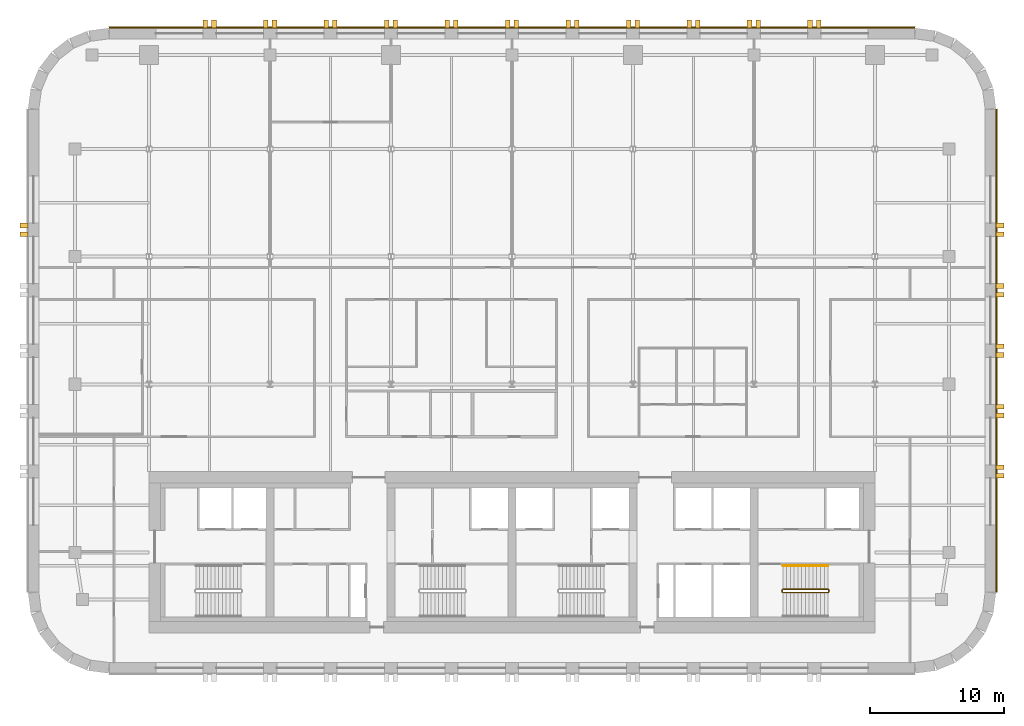
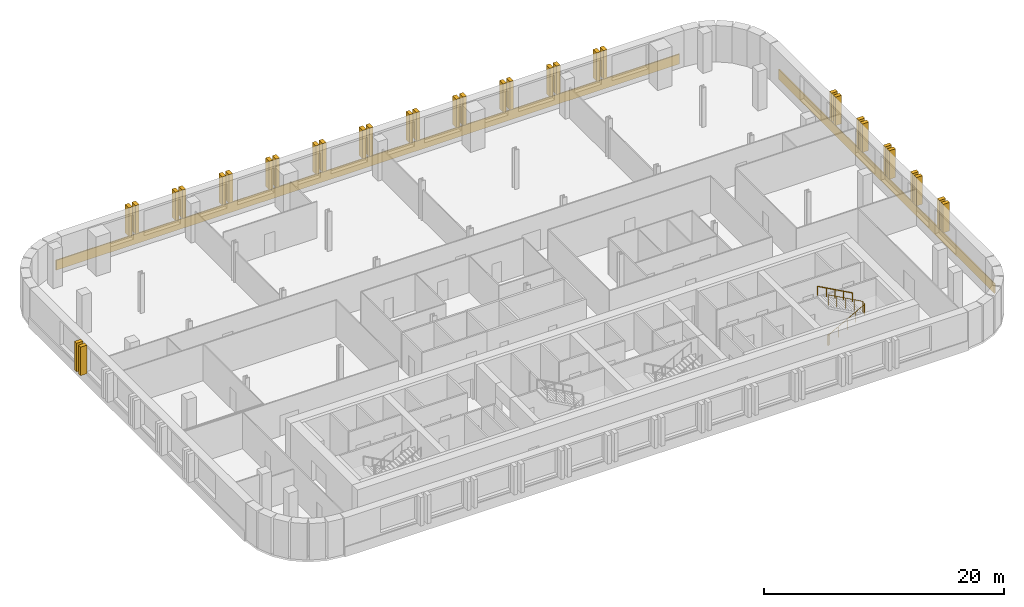
# One storey, part 11 of 11: 36 coverings, 2 railings.
"""IFC4 building model written with IfcOpenShell, lengths in metres."""

import ifcopenshell
import ifcopenshell.guid

model = None  # the IFC model being written
_history = None  # IfcOwnerHistory: only IFC2X3 demands one
_inside = {}  # id of a spatial element -> (the spatial element, [elements in it])
_under = {}  # id of a project, library or spatial element -> (it, [spatial elements below it])
_declared = {}  # id of a project -> (the project, [libraries it declares])
_typed = {}  # id of a type object -> (the type object, [elements of that type])
_made_of = {}  # id of a material, layer set ... -> (it, [elements and type objects made of it])


def new_model(schema):
    """Start an empty IFC model of exactly this schema.

    Asked for "IFC4X3", IfcOpenShell would pick the latest addendum, in which some entities
    have other attributes; the version numbers below select the first issue.
    IFC2X3 requires an IfcOwnerHistory on every rooted entity: one is made here for all.
    """
    global model, _history
    if schema == "IFC4X3":
        model = ifcopenshell.file(schema_version=(4, 3, 0, 0))
    else:
        model = ifcopenshell.file(schema=schema)
    _inside.clear()
    _under.clear()
    _declared.clear()
    _typed.clear()
    _made_of.clear()
    _history = None
    if model.schema == "IFC2X3":
        org = make("IfcOrganization", Name="unknown")
        user = make(
            "IfcPersonAndOrganization",
            ThePerson=make("IfcPerson", FamilyName="unknown"),
            TheOrganization=org,
        )
        app = make(
            "IfcApplication",
            ApplicationDeveloper=org,
            Version="unknown",
            ApplicationFullName="unknown",
            ApplicationIdentifier="unknown",
        )
        _history = make(
            "IfcOwnerHistory",
            OwningUser=user,
            OwningApplication=app,
            ChangeAction="ADDED",
            CreationDate=0,
        )
    return model


def make(cls, **values):
    """One entity of the class cls with the attributes given. An attribute that is None is left unset."""
    return model.create_entity(
        cls, **{name: value for name, value in values.items() if value is not None}
    )


def rooted(cls, **values):
    """An entity with a GlobalId (a new one), such as an element, a storey or a relation."""
    return make(cls, GlobalId=ifcopenshell.guid.new(), OwnerHistory=_history, **values)


def si_unit(unit_type, name, prefix=None):
    """IfcSIUnit, for example si_unit("LENGTHUNIT", "METRE", prefix="MILLI")."""
    return make("IfcSIUnit", UnitType=unit_type, Prefix=prefix, Name=name)


def assignment(units):
    """IfcUnitAssignment: the units of a project."""
    return None if units is None else make("IfcUnitAssignment", Units=units)


def point(xyz):
    """IfcCartesianPoint."""
    return None if xyz is None else make("IfcCartesianPoint", Coordinates=xyz)


def direction(xyz):
    """IfcDirection."""
    return None if xyz is None else make("IfcDirection", DirectionRatios=xyz)


def frame(location, z_axis=None, x_axis=None):
    """IfcAxis2Placement3D, a coordinate frame: its origin and axes. An axis left out is left unset."""
    return make(
        "IfcAxis2Placement3D",
        Location=point(location),
        Axis=direction(z_axis),
        RefDirection=direction(x_axis),
    )


def frame_2d(location, x_axis=None):
    """IfcAxis2Placement2D, a coordinate frame in the plane: its origin and x axis."""
    return make(
        "IfcAxis2Placement2D", Location=point(location), RefDirection=direction(x_axis)
    )


def origin():
    """The frame at (0, 0, 0) with its axes left unset."""
    return frame((0.0, 0.0, 0.0))


def origin_2d():
    """The frame at (0, 0) in the plane with its x axis left unset."""
    return frame_2d((0.0, 0.0))


def place(relative_to, where):
    """IfcLocalPlacement: puts the frame where relative to a parent placement (None: the world)."""
    return make(
        "IfcLocalPlacement", PlacementRelTo=relative_to, RelativePlacement=where
    )


def context(
    kind, dimensions, precision=None, world=None, true_north=None, identifier=None
):
    """IfcGeometricRepresentationContext, for example the 3D "Model" context."""
    return make(
        "IfcGeometricRepresentationContext",
        ContextIdentifier=identifier,
        ContextType=kind,
        CoordinateSpaceDimension=dimensions,
        Precision=precision,
        WorldCoordinateSystem=world,
        TrueNorth=true_north,
    )


def subcontext(parent, identifier, kind, view, scale=None):
    """IfcGeometricRepresentationSubContext, for example "Body" below "Model"."""
    return make(
        "IfcGeometricRepresentationSubContext",
        ContextIdentifier=identifier,
        ContextType=kind,
        ParentContext=parent,
        TargetScale=scale,
        TargetView=view,
    )


def project(units=None, contexts=None):
    """IfcProject with its units and contexts."""
    return rooted(
        "IfcProject",
        Name="project",
        RepresentationContexts=contexts,
        UnitsInContext=assignment(units),
    )


def spatial(cls, under=None, at=None, **own):
    """A site, building, storey or space (cls), placed at a placement, below another one or the project."""
    s = rooted(cls, ObjectPlacement=at, **own)
    if under is not None:
        _under.setdefault(under.id(), (under, []))[1].append(s)
    return s


def polyline(points):
    """IfcPolyline through the points."""
    return make("IfcPolyline", Points=[point(p) for p in points])


def profile(cls, at=None, kind="AREA", **sizes):
    """A parametric profile (cls). Its sizes go by their IFC names, for example OverallWidth=200.0."""
    return make(cls, ProfileType=kind, Position=at, **sizes)


def circle(**sizes):
    """IfcCircleProfileDef."""
    return profile("IfcCircleProfileDef", **sizes)


def outline(outer, holes=None, kind="AREA"):
    """IfcArbitraryClosedProfileDef: a profile drawn as a closed curve; with holes, ...WithVoids."""
    if holes is None:
        return make("IfcArbitraryClosedProfileDef", ProfileType=kind, OuterCurve=outer)
    return make(
        "IfcArbitraryProfileDefWithVoids",
        ProfileType=kind,
        OuterCurve=outer,
        InnerCurves=holes,
    )


def extrude(swept, where, along, depth):
    """IfcExtrudedAreaSolid: the profile swept, set in the frame where, extruded along a direction by depth."""
    return make(
        "IfcExtrudedAreaSolid",
        SweptArea=swept,
        Position=where,
        ExtrudedDirection=direction(along),
        Depth=depth,
    )


def shape(context_of_items, identifier, shape_type, items):
    """IfcShapeRepresentation: the items that make up one representation, for example the "Body"."""
    return make(
        "IfcShapeRepresentation",
        ContextOfItems=context_of_items,
        RepresentationIdentifier=identifier,
        RepresentationType=shape_type,
        Items=items,
    )


def material(Name=None, Category=None):
    """IfcMaterial."""
    return make("IfcMaterial", Name=Name, Category=Category)


def layer(
    of_material, thickness, ventilated=None, Name=None, Category=None, Priority=None
):
    """IfcMaterialLayer: one layer of a wall or slab, of a material (None: an air gap)."""
    return make(
        "IfcMaterialLayer",
        Material=of_material,
        LayerThickness=thickness,
        IsVentilated=ventilated,
        Name=Name,
        Category=Category,
        Priority=Priority,
    )


def layer_set(layers, Name=None):
    """IfcMaterialLayerSet."""
    return make("IfcMaterialLayerSet", MaterialLayers=layers, LayerSetName=Name)


def made_of(thing, what):
    """Note that an element or type object is made of a material, layer set ...; save() writes the relation."""
    if what is not None:
        _made_of.setdefault(what.id(), (what, []))[1].append(thing)
    return thing


def type_object(cls, material=None, **own):
    """A type object (cls), such as IfcWallType, which elements share."""
    return made_of(rooted(cls, **own), material)


def element(
    cls,
    number,
    at=None,
    inside=None,
    cuts=None,
    type_object=None,
    material=None,
    context=None,
    identifier="Body",
    shape_type=None,
    held_by="IfcProductDefinitionShape",
    body=None,
    shapes=None,
    **own,
):
    """One element of the class cls, such as IfcWall. Its Tag is "e" and its number.

    at: its placement. inside: the storey or other place that contains it. cuts: it is an
    opening in that element (IfcRelVoidsElement). A single representation is given by context,
    identifier, shape_type and body (its items); several are given by shapes. held_by: the class
    of the entity that holds the representations. save() writes the other relations.
    """
    e = rooted(cls, Tag="e%d" % number, ObjectPlacement=at, **own)
    if body is not None:
        shapes = [shape(context, identifier, shape_type, body)]
    if shapes is not None:
        e.Representation = make(held_by, Representations=shapes)
    if inside is not None:
        _inside.setdefault(inside.id(), (inside, []))[1].append(e)
    if cuts is not None:
        rooted(
            "IfcRelVoidsElement", RelatingBuildingElement=cuts, RelatedOpeningElement=e
        )
    if type_object is not None:
        _typed.setdefault(type_object.id(), (type_object, []))[1].append(e)
    return made_of(e, material)


def aggregate(whole, parts):
    """IfcRelAggregates: a whole, such as a stair, and the parts it consists of."""
    return rooted("IfcRelAggregates", RelatingObject=whole, RelatedObjects=parts)


def save(model, path):
    """Write the relations noted so far, then the file.

    IfcRelAggregates (storeys below a building ...), IfcRelContainedInSpatialStructure (elements
    in a storey), IfcRelDefinesByType, IfcRelAssociatesMaterial and IfcRelDeclares: one each for
    every whole, place, type object, material and project.
    """
    for whole, parts in _under.values():
        aggregate(whole, parts)
    for where, things in _inside.values():
        rooted(
            "IfcRelContainedInSpatialStructure",
            RelatedElements=things,
            RelatingStructure=where,
        )
    for kind, things in _typed.values():
        rooted("IfcRelDefinesByType", RelatedObjects=things, RelatingType=kind)
    for what, things in _made_of.values():
        rooted("IfcRelAssociatesMaterial", RelatedObjects=things, RelatingMaterial=what)
    for by, libraries in _declared.values():
        rooted("IfcRelDeclares", RelatingContext=by, RelatedDefinitions=libraries)
    model.write(path)


model = new_model("IFC4")

# Units and contexts
model_context = context("Model", 3, precision=1e-05, world=origin(), true_north=direction((0.0, 1.0)))
body_context = subcontext(model_context, "Body", "Model", "MODEL_VIEW")
ifc_project = project(units=[si_unit("LENGTHUNIT", "METRE"), si_unit("AREAUNIT", "SQUARE_METRE"), si_unit("VOLUMEUNIT", "CUBIC_METRE"), si_unit("PLANEANGLEUNIT", "RADIAN"), si_unit("MASSUNIT", "GRAM", prefix="KILO")], contexts=[model_context])

# Site, building, storey
site_placement = place(None, origin())
site = spatial("IfcSite", under=ifc_project, at=site_placement, CompositionType="ELEMENT")
building_placement = place(site_placement, origin())
building = spatial("IfcBuilding", under=site, at=building_placement, Name="Zellij Exchange Tower", CompositionType="ELEMENT")
storey_placement = place(building_placement, frame((0.0, 0.0, 208.5)))
storey = spatial("IfcBuildingStorey", under=building, at=storey_placement, Name="L48", CompositionType="ELEMENT", Elevation=208.5)

# Railings
ifc_material_1 = material(Name="Stainless steel", Category="steel")
railing_type_1 = type_object("IfcRailingType", Name="CORE-RG stair guard", PredefinedType="GUARDRAIL", material=ifc_material_1)
railing_1_placement = place(storey_placement, frame((20.10009765625, -10.949951171875, 0.0)))
element("IfcRailing", 1, at=railing_1_placement, inside=storey, type_object=railing_type_1, Name="ST4 stair guard L48", PredefinedType="GUARDRAIL", context=body_context, shape_type="SweptSolid", body=[
    extrude(circle(Radius=0.02392578125, at=origin_2d()), frame((0.0, 0.0, 1.076171875), z_axis=(0.0, 1.0, 0.0), x_axis=(-1.0, 0.0, 0.0)), (0.0, 0.0, 1.0), 0.14990234375),
    extrude(circle(Radius=0.02392578125, at=origin_2d()), frame((0.0, 0.14990234375, 1.076171875), z_axis=(0.193691321961, -0.777613689637, 0.598164376644), x_axis=(0.970351222016, 0.241699205484, 0.0)), (0.0, 0.0, 1.0), 0.257080078125),
    extrude(circle(Radius=0.02392578125, at=origin_2d()), frame((0.0498046875, -0.050048828125, 1.22998046875), z_axis=(0.876421534553, 0.0, 0.481544695509), x_axis=(0.0, 1.0, 0.0)), (0.0, 0.0, 1.0), 3.833984375),
    extrude(circle(Radius=0.02392578125, at=origin_2d()), frame((3.409912109375, -0.050048828125, 3.076171875), z_axis=(0.707106781187, 0.707106781187, 0.0), x_axis=(-0.707106781187, 0.707106781187, 0.0)), (0.0, 0.0, 1.0), 0.07080078125),
    extrude(circle(Radius=0.02392578125, at=origin_2d()), frame((3.4599609375, 0.0, 3.076171875), z_axis=(0.0, 1.0, 0.0), x_axis=(-1.0, 0.0, 0.0)), (0.0, 0.0, 1.0), 0.14990234375),
    extrude(circle(Radius=0.02392578125, at=origin_2d()), frame((3.4599609375, 0.14990234375, 3.076171875), z_axis=(-0.295599637079, 0.295599637079, 0.908428152975), x_axis=(-0.707106781187, -0.707106781187, 0.0)), (0.0, 0.0, 1.0), 0.16943359375),
    extrude(circle(Radius=0.02392578125, at=origin_2d()), frame((3.409912109375, 0.199951171875, 3.22998046875), z_axis=(-0.876421534553, 0.0, 0.481544695509), x_axis=(0.0, -1.0, 0.0)), (0.0, 0.0, 1.0), 3.833984375),
    extrude(circle(Radius=0.02099609375, at=origin_2d()), origin(), (0.0, 0.0, 1.0), 1.052001953125),
    extrude(circle(Radius=0.02099609375, at=origin_2d()), frame((0.0, 0.14990234375, 0.0)), (0.0, 0.0, 1.0), 1.052001953125),
    extrude(circle(Radius=0.02099609375, at=origin_2d()), frame((0.0498046875, -0.050048828125, 0.15380859375)), (0.0, 0.0, 1.0), 1.052001953125),
    extrude(circle(Radius=0.02099609375, at=origin_2d()), frame((0.889892578125, -0.050048828125, 0.615234375)), (0.0, 0.0, 1.0), 1.052001953125),
    extrude(circle(Radius=0.02099609375, at=origin_2d()), frame((1.72998046875, -0.050048828125, 1.076904296875)), (0.0, 0.0, 1.0), 1.052001953125),
    extrude(circle(Radius=0.02099609375, at=origin_2d()), frame((2.56982421875, -0.050048828125, 1.53857421875)), (0.0, 0.0, 1.0), 1.052001953125),
    extrude(circle(Radius=0.02099609375, at=origin_2d()), frame((3.409912109375, -0.050048828125, 2.0)), (0.0, 0.0, 1.0), 1.052001953125),
    extrude(circle(Radius=0.02099609375, at=origin_2d()), frame((3.4599609375, 0.0, 2.0)), (0.0, 0.0, 1.0), 1.052001953125),
    extrude(circle(Radius=0.02099609375, at=origin_2d()), frame((3.4599609375, 0.14990234375, 2.0)), (0.0, 0.0, 1.0), 1.052001953125),
    extrude(circle(Radius=0.02099609375, at=origin_2d()), frame((3.409912109375, 0.199951171875, 2.15380859375)), (0.0, 0.0, 1.0), 1.052001953125),
    extrude(circle(Radius=0.02099609375, at=origin_2d()), frame((2.56982421875, 0.199951171875, 2.615234375)), (0.0, 0.0, 1.0), 1.052001953125),
    extrude(circle(Radius=0.02099609375, at=origin_2d()), frame((1.72998046875, 0.199951171875, 3.076904296875)), (0.0, 0.0, 1.0), 1.052001953125),
    extrude(circle(Radius=0.02099609375, at=origin_2d()), frame((0.889892578125, 0.199951171875, 3.53857421875)), (0.0, 0.0, 1.0), 1.052001953125),
    extrude(circle(Radius=0.02099609375, at=origin_2d()), frame((0.0498046875, 0.199951171875, 4.0)), (0.0, 0.0, 1.0), 1.052001953125),
])
railing_type_2 = type_object("IfcRailingType", Name="CORE-RH stair handrail", PredefinedType="HANDRAIL", material=ifc_material_1)
railing_2_placement = place(storey_placement, frame((23.510009765625, -9.0, 2.15380859375)))
element("IfcRailing", 2, at=railing_2_placement, inside=storey, type_object=railing_type_2, Name="ST4 stair handrail L48", PredefinedType="HANDRAIL", context=body_context, shape_type="SweptSolid", body=[
    extrude(circle(Radius=0.02392578125, at=origin_2d()), frame((0.0, 0.0, 0.8759765625), z_axis=(-0.876421534553, 0.0, 0.481544695509), x_axis=(0.0, -1.0, 0.0)), (0.0, 0.0, 1.0), 3.833984375),
    extrude(circle(Radius=0.02099609375, at=origin_2d()), origin(), (0.0, 0.0, 1.0), 0.851806640625),
    extrude(circle(Radius=0.02099609375, at=origin_2d()), frame((-0.840087890625, 0.0, 0.46142578125)), (0.0, 0.0, 1.0), 0.851806640625),
    extrude(circle(Radius=0.02099609375, at=origin_2d()), frame((-1.68017578125, 0.0, 0.923095703125)), (0.0, 0.0, 1.0), 0.851806640625),
    extrude(circle(Radius=0.02099609375, at=origin_2d()), frame((-2.52001953125, 0.0, 1.384765625)), (0.0, 0.0, 1.0), 0.851806640625),
    extrude(circle(Radius=0.02099609375, at=origin_2d()), frame((-3.360107421875, 0.0, 1.84619140625)), (0.0, 0.0, 1.0), 0.851806640625),
])

# Coverings
ifc_material_2 = material(Name="Limestone cladding", Category="masonry")
covering_type_1 = type_object("IfcCoveringType", Name="ENV-CV3 Stone pier 350x600", PredefinedType="CLADDING", material=ifc_material_2)
covering_1_placement = place(storey_placement, frame((0.0, 0.0, 0.800048828125)))
element("IfcCovering", 3, at=covering_1_placement, inside=storey, type_object=covering_type_1, Name="Stone pier", PredefinedType="CLADDING", context=body_context, shape_type="SweptSolid", body=[
    extrude(outline(polyline([(36.0, -2.48681640625), (36.0, -2.136962890625), (36.60009765625, -2.136962890625), (36.60009765625, -2.48681640625), (36.0, -2.48681640625)])), origin(), (0.0, 0.0, 1.0), 2.89990234375),
])
covering_2_placement = place(storey_placement, frame((0.0, 0.0, 0.800048828125)))
element("IfcCovering", 4, at=covering_2_placement, inside=storey, type_object=covering_type_1, Name="Stone pier", PredefinedType="CLADDING", context=body_context, shape_type="SweptSolid", body=[
    extrude(outline(polyline([(36.0, -1.8369140625), (36.0, -1.48681640625), (36.60009765625, -1.48681640625), (36.60009765625, -1.8369140625), (36.0, -1.8369140625)])), origin(), (0.0, 0.0, 1.0), 2.89990234375),
])
covering_3_placement = place(storey_placement, frame((0.0, 0.0, 0.800048828125)))
element("IfcCovering", 5, at=covering_3_placement, inside=storey, type_object=covering_type_1, Name="Stone pier", PredefinedType="CLADDING", context=body_context, shape_type="SweptSolid", body=[
    extrude(outline(polyline([(36.0, 2.006591796875), (36.0, 2.3564453125), (36.60009765625, 2.3564453125), (36.60009765625, 2.006591796875), (36.0, 2.006591796875)])), origin(), (0.0, 0.0, 1.0), 2.89990234375),
])
covering_4_placement = place(storey_placement, frame((0.0, 0.0, 0.800048828125)))
element("IfcCovering", 6, at=covering_4_placement, inside=storey, type_object=covering_type_1, Name="Stone pier", PredefinedType="CLADDING", context=body_context, shape_type="SweptSolid", body=[
    extrude(outline(polyline([(36.0, 2.656494140625), (36.0, 3.006591796875), (36.60009765625, 3.006591796875), (36.60009765625, 2.656494140625), (36.0, 2.656494140625)])), origin(), (0.0, 0.0, 1.0), 2.89990234375),
])
covering_5_placement = place(storey_placement, frame((0.0, 0.0, 0.800048828125)))
element("IfcCovering", 7, at=covering_5_placement, inside=storey, type_object=covering_type_1, Name="Stone pier", PredefinedType="CLADDING", context=body_context, shape_type="SweptSolid", body=[
    extrude(outline(polyline([(36.0, 6.5), (36.0, 6.85009765625), (36.60009765625, 6.85009765625), (36.60009765625, 6.5), (36.0, 6.5)])), origin(), (0.0, 0.0, 1.0), 2.89990234375),
])
covering_6_placement = place(storey_placement, frame((0.0, 0.0, 0.800048828125)))
element("IfcCovering", 8, at=covering_6_placement, inside=storey, type_object=covering_type_1, Name="Stone pier", PredefinedType="CLADDING", context=body_context, shape_type="SweptSolid", body=[
    extrude(outline(polyline([(36.0, 7.14990234375), (36.0, 7.5), (36.60009765625, 7.5), (36.60009765625, 7.14990234375), (36.0, 7.14990234375)])), origin(), (0.0, 0.0, 1.0), 2.89990234375),
])
covering_7_placement = place(storey_placement, frame((0.0, 0.0, 0.800048828125)))
element("IfcCovering", 9, at=covering_7_placement, inside=storey, type_object=covering_type_1, Name="Stone pier", PredefinedType="CLADDING", context=body_context, shape_type="SweptSolid", body=[
    extrude(outline(polyline([(36.0, 10.993408203125), (36.0, 11.343505859375), (36.60009765625, 11.343505859375), (36.60009765625, 10.993408203125), (36.0, 10.993408203125)])), origin(), (0.0, 0.0, 1.0), 2.89990234375),
])
covering_8_placement = place(storey_placement, frame((0.0, 0.0, 0.800048828125)))
element("IfcCovering", 10, at=covering_8_placement, inside=storey, type_object=covering_type_1, Name="Stone pier", PredefinedType="CLADDING", context=body_context, shape_type="SweptSolid", body=[
    extrude(outline(polyline([(36.0, 11.643310546875), (36.0, 11.993408203125), (36.60009765625, 11.993408203125), (36.60009765625, 11.643310546875), (36.0, 11.643310546875)])), origin(), (0.0, 0.0, 1.0), 2.89990234375),
])
covering_9_placement = place(storey_placement, frame((0.0, 0.0, 0.800048828125)))
element("IfcCovering", 11, at=covering_9_placement, inside=storey, type_object=covering_type_1, Name="Stone pier", PredefinedType="CLADDING", context=body_context, shape_type="SweptSolid", body=[
    extrude(outline(polyline([(36.0, 15.48681640625), (36.0, 15.8369140625), (36.60009765625, 15.8369140625), (36.60009765625, 15.48681640625), (36.0, 15.48681640625)])), origin(), (0.0, 0.0, 1.0), 2.89990234375),
])
covering_10_placement = place(storey_placement, frame((0.0, 0.0, 0.800048828125)))
element("IfcCovering", 12, at=covering_10_placement, inside=storey, type_object=covering_type_1, Name="Stone pier", PredefinedType="CLADDING", context=body_context, shape_type="SweptSolid", body=[
    extrude(outline(polyline([(36.0, 16.136962890625), (36.0, 16.48681640625), (36.60009765625, 16.48681640625), (36.60009765625, 16.136962890625), (36.0, 16.136962890625)])), origin(), (0.0, 0.0, 1.0), 2.89990234375),
])
covering_11_placement = place(storey_placement, frame((0.0, 0.0, 0.800048828125)))
element("IfcCovering", 13, at=covering_11_placement, inside=storey, type_object=covering_type_1, Name="Stone pier", PredefinedType="CLADDING", context=body_context, shape_type="SweptSolid", body=[
    extrude(outline(polyline([(23.0, 31.0), (22.64990234375, 31.0), (22.64990234375, 31.60009765625), (23.0, 31.60009765625), (23.0, 31.0)])), origin(), (0.0, 0.0, 1.0), 2.89990234375),
])
covering_12_placement = place(storey_placement, frame((0.0, 0.0, 0.800048828125)))
element("IfcCovering", 14, at=covering_12_placement, inside=storey, type_object=covering_type_1, Name="Stone pier", PredefinedType="CLADDING", context=body_context, shape_type="SweptSolid", body=[
    extrude(outline(polyline([(22.35009765625, 31.0), (22.0, 31.0), (22.0, 31.60009765625), (22.35009765625, 31.60009765625), (22.35009765625, 31.0)])), origin(), (0.0, 0.0, 1.0), 2.89990234375),
])
covering_13_placement = place(storey_placement, frame((0.0, 0.0, 0.800048828125)))
element("IfcCovering", 15, at=covering_13_placement, inside=storey, type_object=covering_type_1, Name="Stone pier", PredefinedType="CLADDING", context=body_context, shape_type="SweptSolid", body=[
    extrude(outline(polyline([(18.5, 31.0), (18.14990234375, 31.0), (18.14990234375, 31.60009765625), (18.5, 31.60009765625), (18.5, 31.0)])), origin(), (0.0, 0.0, 1.0), 2.89990234375),
])
covering_14_placement = place(storey_placement, frame((0.0, 0.0, 0.800048828125)))
element("IfcCovering", 16, at=covering_14_placement, inside=storey, type_object=covering_type_1, Name="Stone pier", PredefinedType="CLADDING", context=body_context, shape_type="SweptSolid", body=[
    extrude(outline(polyline([(17.85009765625, 31.0), (17.5, 31.0), (17.5, 31.60009765625), (17.85009765625, 31.60009765625), (17.85009765625, 31.0)])), origin(), (0.0, 0.0, 1.0), 2.89990234375),
])
covering_15_placement = place(storey_placement, frame((0.0, 0.0, 0.800048828125)))
element("IfcCovering", 17, at=covering_15_placement, inside=storey, type_object=covering_type_1, Name="Stone pier", PredefinedType="CLADDING", context=body_context, shape_type="SweptSolid", body=[
    extrude(outline(polyline([(14.0, 31.0), (13.64990234375, 31.0), (13.64990234375, 31.60009765625), (14.0, 31.60009765625), (14.0, 31.0)])), origin(), (0.0, 0.0, 1.0), 2.89990234375),
])
covering_16_placement = place(storey_placement, frame((0.0, 0.0, 0.800048828125)))
element("IfcCovering", 18, at=covering_16_placement, inside=storey, type_object=covering_type_1, Name="Stone pier", PredefinedType="CLADDING", context=body_context, shape_type="SweptSolid", body=[
    extrude(outline(polyline([(13.35009765625, 31.0), (13.0, 31.0), (13.0, 31.60009765625), (13.35009765625, 31.60009765625), (13.35009765625, 31.0)])), origin(), (0.0, 0.0, 1.0), 2.89990234375),
])
covering_17_placement = place(storey_placement, frame((0.0, 0.0, 0.800048828125)))
element("IfcCovering", 19, at=covering_17_placement, inside=storey, type_object=covering_type_1, Name="Stone pier", PredefinedType="CLADDING", context=body_context, shape_type="SweptSolid", body=[
    extrude(outline(polyline([(9.5, 31.0), (9.14990234375, 31.0), (9.14990234375, 31.60009765625), (9.5, 31.60009765625), (9.5, 31.0)])), origin(), (0.0, 0.0, 1.0), 2.89990234375),
])
covering_18_placement = place(storey_placement, frame((0.0, 0.0, 0.800048828125)))
element("IfcCovering", 20, at=covering_18_placement, inside=storey, type_object=covering_type_1, Name="Stone pier", PredefinedType="CLADDING", context=body_context, shape_type="SweptSolid", body=[
    extrude(outline(polyline([(8.85009765625, 31.0), (8.5, 31.0), (8.5, 31.60009765625), (8.85009765625, 31.60009765625), (8.85009765625, 31.0)])), origin(), (0.0, 0.0, 1.0), 2.89990234375),
])
covering_19_placement = place(storey_placement, frame((0.0, 0.0, 0.800048828125)))
element("IfcCovering", 21, at=covering_19_placement, inside=storey, type_object=covering_type_1, Name="Stone pier", PredefinedType="CLADDING", context=body_context, shape_type="SweptSolid", body=[
    extrude(outline(polyline([(5.0, 31.0), (4.64990234375, 31.0), (4.64990234375, 31.60009765625), (5.0, 31.60009765625), (5.0, 31.0)])), origin(), (0.0, 0.0, 1.0), 2.89990234375),
])
covering_20_placement = place(storey_placement, frame((0.0, 0.0, 0.800048828125)))
element("IfcCovering", 22, at=covering_20_placement, inside=storey, type_object=covering_type_1, Name="Stone pier", PredefinedType="CLADDING", context=body_context, shape_type="SweptSolid", body=[
    extrude(outline(polyline([(4.35009765625, 31.0), (4.0, 31.0), (4.0, 31.60009765625), (4.35009765625, 31.60009765625), (4.35009765625, 31.0)])), origin(), (0.0, 0.0, 1.0), 2.89990234375),
])
covering_21_placement = place(storey_placement, frame((0.0, 0.0, 0.800048828125)))
element("IfcCovering", 23, at=covering_21_placement, inside=storey, type_object=covering_type_1, Name="Stone pier", PredefinedType="CLADDING", context=body_context, shape_type="SweptSolid", body=[
    extrude(outline(polyline([(0.5, 31.0), (0.14990234375, 31.0), (0.14990234375, 31.60009765625), (0.5, 31.60009765625), (0.5, 31.0)])), origin(), (0.0, 0.0, 1.0), 2.89990234375),
])
covering_22_placement = place(storey_placement, frame((0.0, 0.0, 0.800048828125)))
element("IfcCovering", 24, at=covering_22_placement, inside=storey, type_object=covering_type_1, Name="Stone pier", PredefinedType="CLADDING", context=body_context, shape_type="SweptSolid", body=[
    extrude(outline(polyline([(-0.14990234375, 31.0), (-0.5, 31.0), (-0.5, 31.60009765625), (-0.14990234375, 31.60009765625), (-0.14990234375, 31.0)])), origin(), (0.0, 0.0, 1.0), 2.89990234375),
])
covering_23_placement = place(storey_placement, frame((0.0, 0.0, 0.800048828125)))
element("IfcCovering", 25, at=covering_23_placement, inside=storey, type_object=covering_type_1, Name="Stone pier", PredefinedType="CLADDING", context=body_context, shape_type="SweptSolid", body=[
    extrude(outline(polyline([(-4.0, 31.0), (-4.35009765625, 31.0), (-4.35009765625, 31.60009765625), (-4.0, 31.60009765625), (-4.0, 31.0)])), origin(), (0.0, 0.0, 1.0), 2.89990234375),
])
covering_24_placement = place(storey_placement, frame((0.0, 0.0, 0.800048828125)))
element("IfcCovering", 26, at=covering_24_placement, inside=storey, type_object=covering_type_1, Name="Stone pier", PredefinedType="CLADDING", context=body_context, shape_type="SweptSolid", body=[
    extrude(outline(polyline([(-4.64990234375, 31.0), (-5.0, 31.0), (-5.0, 31.60009765625), (-4.64990234375, 31.60009765625), (-4.64990234375, 31.0)])), origin(), (0.0, 0.0, 1.0), 2.89990234375),
])
covering_25_placement = place(storey_placement, frame((0.0, 0.0, 0.800048828125)))
element("IfcCovering", 27, at=covering_25_placement, inside=storey, type_object=covering_type_1, Name="Stone pier", PredefinedType="CLADDING", context=body_context, shape_type="SweptSolid", body=[
    extrude(outline(polyline([(-8.5, 31.0), (-8.85009765625, 31.0), (-8.85009765625, 31.60009765625), (-8.5, 31.60009765625), (-8.5, 31.0)])), origin(), (0.0, 0.0, 1.0), 2.89990234375),
])
covering_26_placement = place(storey_placement, frame((0.0, 0.0, 0.800048828125)))
element("IfcCovering", 28, at=covering_26_placement, inside=storey, type_object=covering_type_1, Name="Stone pier", PredefinedType="CLADDING", context=body_context, shape_type="SweptSolid", body=[
    extrude(outline(polyline([(-9.14990234375, 31.0), (-9.5, 31.0), (-9.5, 31.60009765625), (-9.14990234375, 31.60009765625), (-9.14990234375, 31.0)])), origin(), (0.0, 0.0, 1.0), 2.89990234375),
])
covering_27_placement = place(storey_placement, frame((0.0, 0.0, 0.800048828125)))
element("IfcCovering", 29, at=covering_27_placement, inside=storey, type_object=covering_type_1, Name="Stone pier", PredefinedType="CLADDING", context=body_context, shape_type="SweptSolid", body=[
    extrude(outline(polyline([(-13.0, 31.0), (-13.35009765625, 31.0), (-13.35009765625, 31.60009765625), (-13.0, 31.60009765625), (-13.0, 31.0)])), origin(), (0.0, 0.0, 1.0), 2.89990234375),
])
covering_28_placement = place(storey_placement, frame((0.0, 0.0, 0.800048828125)))
element("IfcCovering", 30, at=covering_28_placement, inside=storey, type_object=covering_type_1, Name="Stone pier", PredefinedType="CLADDING", context=body_context, shape_type="SweptSolid", body=[
    extrude(outline(polyline([(-13.64990234375, 31.0), (-14.0, 31.0), (-14.0, 31.60009765625), (-13.64990234375, 31.60009765625), (-13.64990234375, 31.0)])), origin(), (0.0, 0.0, 1.0), 2.89990234375),
])
covering_29_placement = place(storey_placement, frame((0.0, 0.0, 0.800048828125)))
element("IfcCovering", 31, at=covering_29_placement, inside=storey, type_object=covering_type_1, Name="Stone pier", PredefinedType="CLADDING", context=body_context, shape_type="SweptSolid", body=[
    extrude(outline(polyline([(-17.5, 31.0), (-17.85009765625, 31.0), (-17.85009765625, 31.60009765625), (-17.5, 31.60009765625), (-17.5, 31.0)])), origin(), (0.0, 0.0, 1.0), 2.89990234375),
])
covering_30_placement = place(storey_placement, frame((0.0, 0.0, 0.800048828125)))
element("IfcCovering", 32, at=covering_30_placement, inside=storey, type_object=covering_type_1, Name="Stone pier", PredefinedType="CLADDING", context=body_context, shape_type="SweptSolid", body=[
    extrude(outline(polyline([(-18.14990234375, 31.0), (-18.5, 31.0), (-18.5, 31.60009765625), (-18.14990234375, 31.60009765625), (-18.14990234375, 31.0)])), origin(), (0.0, 0.0, 1.0), 2.89990234375),
])
covering_31_placement = place(storey_placement, frame((0.0, 0.0, 0.800048828125)))
element("IfcCovering", 33, at=covering_31_placement, inside=storey, type_object=covering_type_1, Name="Stone pier", PredefinedType="CLADDING", context=body_context, shape_type="SweptSolid", body=[
    extrude(outline(polyline([(-22.0, 31.0), (-22.35009765625, 31.0), (-22.35009765625, 31.60009765625), (-22.0, 31.60009765625), (-22.0, 31.0)])), origin(), (0.0, 0.0, 1.0), 2.89990234375),
])
covering_32_placement = place(storey_placement, frame((0.0, 0.0, 0.800048828125)))
element("IfcCovering", 34, at=covering_32_placement, inside=storey, type_object=covering_type_1, Name="Stone pier", PredefinedType="CLADDING", context=body_context, shape_type="SweptSolid", body=[
    extrude(outline(polyline([(-22.64990234375, 31.0), (-23.0, 31.0), (-23.0, 31.60009765625), (-22.64990234375, 31.60009765625), (-22.64990234375, 31.0)])), origin(), (0.0, 0.0, 1.0), 2.89990234375),
])
covering_33_placement = place(storey_placement, frame((0.0, 0.0, 0.800048828125)))
element("IfcCovering", 35, at=covering_33_placement, inside=storey, type_object=covering_type_1, Name="Stone pier", PredefinedType="CLADDING", context=body_context, shape_type="SweptSolid", body=[
    extrude(outline(polyline([(-36.0, 16.48681640625), (-36.0, 16.136962890625), (-36.60009765625, 16.136962890625), (-36.60009765625, 16.48681640625), (-36.0, 16.48681640625)])), origin(), (0.0, 0.0, 1.0), 2.89990234375),
])
covering_34_placement = place(storey_placement, frame((0.0, 0.0, 0.800048828125)))
element("IfcCovering", 36, at=covering_34_placement, inside=storey, type_object=covering_type_1, Name="Stone pier", PredefinedType="CLADDING", context=body_context, shape_type="SweptSolid", body=[
    extrude(outline(polyline([(-36.0, 15.8369140625), (-36.0, 15.48681640625), (-36.60009765625, 15.48681640625), (-36.60009765625, 15.8369140625), (-36.0, 15.8369140625)])), origin(), (0.0, 0.0, 1.0), 2.89990234375),
])
ifc_layer = layer(ifc_material_2, 0.10009765625)
ifc_layer_set = layer_set([ifc_layer], Name="Limestone cladding")
covering_type_2 = type_object("IfcCoveringType", Name="ENV-CV9 Stone spandrel band 100", PredefinedType="CLADDING", material=ifc_layer_set)
covering_35_placement = place(storey_placement, frame((0.0, 0.0, -0.199951171875)))
element("IfcCovering", 37, at=covering_35_placement, inside=storey, type_object=covering_type_2, Name="Stone spandrel band", PredefinedType="CLADDING", context=body_context, shape_type="SweptSolid", body=[
    extrude(outline(polyline([(36.0, -10.973876953125), (36.0, 24.973876953125), (36.10009765625, 24.980224609375), (36.10009765625, -10.980224609375), (36.0, -10.973876953125)])), origin(), (0.0, 0.0, 1.0), 1.0),
])
covering_36_placement = place(storey_placement, frame((0.0, 0.0, -0.199951171875)))
element("IfcCovering", 38, at=covering_36_placement, inside=storey, type_object=covering_type_2, Name="Stone spandrel band", PredefinedType="CLADDING", context=body_context, shape_type="SweptSolid", body=[
    extrude(outline(polyline([(29.973876953125, 31.0), (-29.973876953125, 31.0), (-29.980224609375, 31.10009765625), (29.980224609375, 31.10009765625), (29.973876953125, 31.0)])), origin(), (0.0, 0.0, 1.0), 1.0),
])

save(model, "model.ifc")
